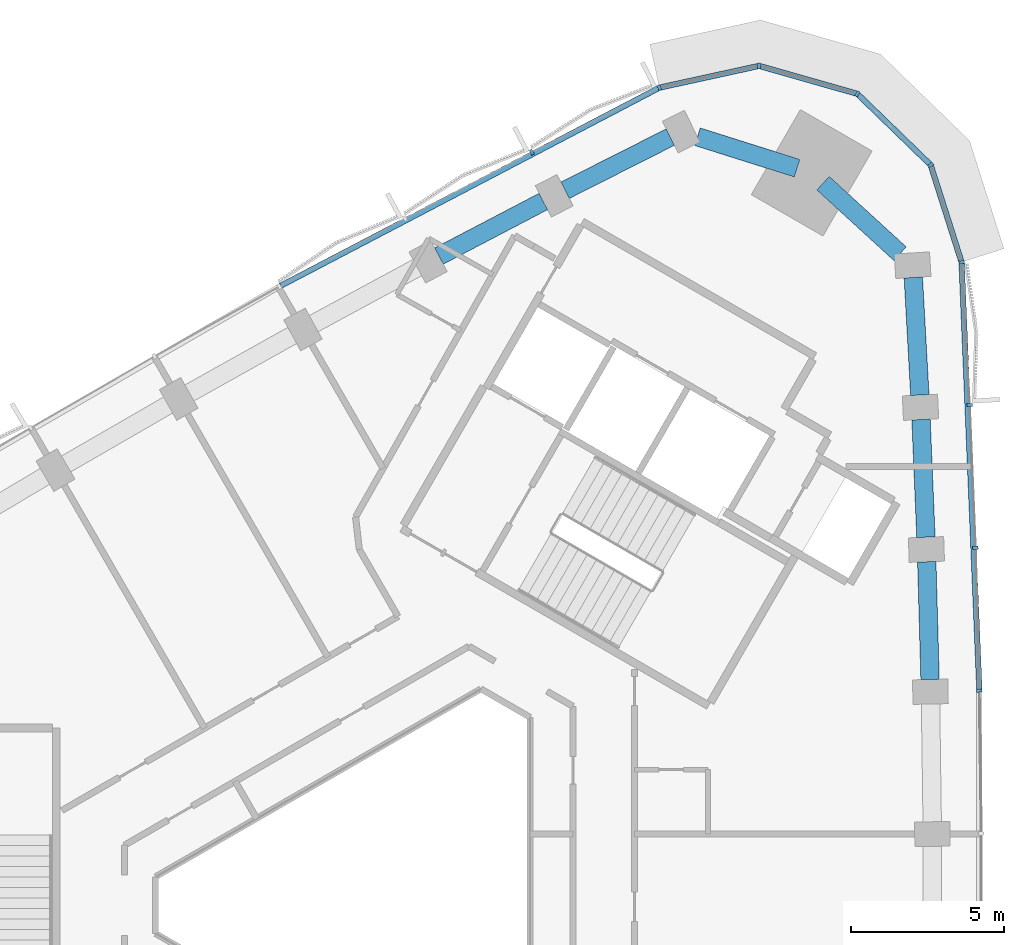
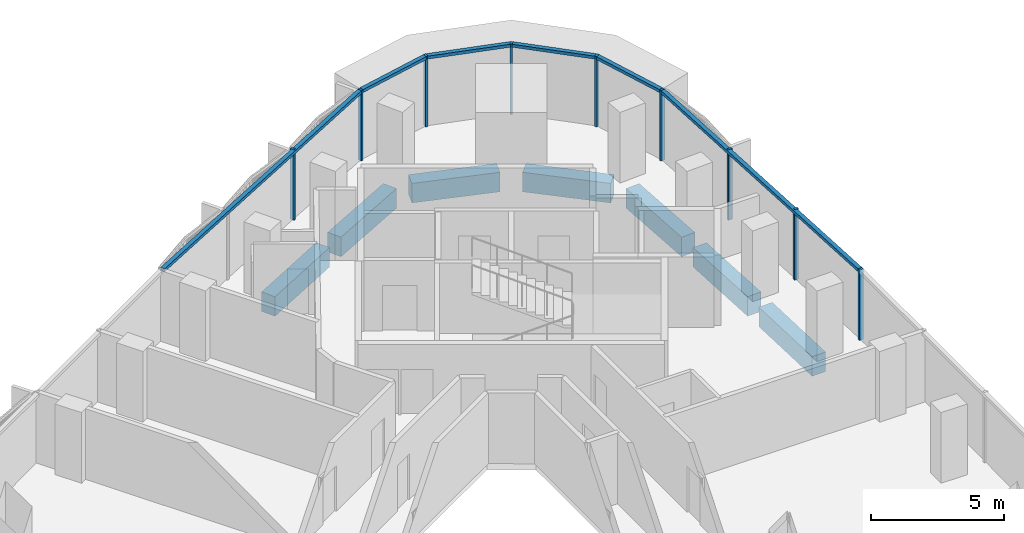
# One storey, part 5 of 13: 15 members, 7 beams, 2 elements without a shape of their own.
"""IFC4 building model written with IfcOpenShell, lengths in metres."""

from ifc_helpers import new_model, si_unit, direction, frame, origin, origin_2d, place, context, subcontext, project, spatial, rectangle, extrude, material, material_profile, profile_set, type_object, element, aggregate, save


model = new_model("IFC4")

# Units and contexts
model_context = context("Model", 3, precision=1e-05, world=origin(), true_north=direction((0.0, 1.0)))
body_context = subcontext(model_context, "Body", "Model", "MODEL_VIEW")
ifc_project = project(units=[si_unit("LENGTHUNIT", "METRE"), si_unit("AREAUNIT", "SQUARE_METRE"), si_unit("VOLUMEUNIT", "CUBIC_METRE"), si_unit("PLANEANGLEUNIT", "RADIAN"), si_unit("MASSUNIT", "GRAM", prefix="KILO")], contexts=[model_context])

# Site, building, storey
site_placement = place(None, origin())
site = spatial("IfcSite", under=ifc_project, at=site_placement, CompositionType="ELEMENT")
building_placement = place(site_placement, origin())
building = spatial("IfcBuilding", under=site, at=building_placement, Name="Tamra Quay Hotel Tower", CompositionType="ELEMENT")
storey_placement = place(building_placement, frame((0.0, 0.0, 182.800048828125)))
storey = spatial("IfcBuildingStorey", under=building, at=storey_placement, Name="L45", CompositionType="ELEMENT", Elevation=182.800048828125)

# Curtain wall, members
ifc_material_1 = material(Name="Aluminium 6063 anodised dark grey", Category="aluminium")
curtain_wall_type_1 = type_object("IfcCurtainWallType", Name="CW1 CURTAIN WALL", PredefinedType="NOTDEFINED", material=ifc_material_1)
curtain_wall_1_placement = place(storey_placement, origin())
curtain_wall_1 = element("IfcCurtainWall", 1, at=curtain_wall_1_placement, inside=storey, type_object=curtain_wall_type_1, Name="CW1 east face L45", PredefinedType="NOTDEFINED")
ifc_material_profile_1 = material_profile(ifc_material_1, rectangle(XDim=0.179931640625, YDim=0.10009765625, at=origin_2d()), Name="MULLION 100X180")
ifc_profile_set_1 = profile_set([ifc_material_profile_1], Name="Aluminium 6063 anodised dark grey")
member_type_1 = type_object("IfcMemberType", Name="MULLION CW1 Z4", PredefinedType="MULLION", material=ifc_profile_set_1)
member_1_placement = place(storey_placement, frame((19.246826171875, 6.989501953125, 0.0), z_axis=(0.0, 0.0, 1.0), x_axis=(0.999783233149, 0.020820343761, 0.0)))
member_1 = element("IfcMember", 2, at=member_1_placement, type_object=member_type_1, Name="CW1 mullion L45.E.7", PredefinedType="MULLION", context=body_context, shape_type="SweptSolid", body=[
    extrude(rectangle(XDim=0.179931640625, YDim=0.10009765625, at=origin_2d()), origin(), (0.0, 0.0, 1.0), 3.25),
])
member_2_placement = place(storey_placement, frame((19.117431640625, 11.646728515625, 0.0), z_axis=(0.0, 0.0, 1.0), x_axis=(0.999398551389, 0.034677593353, 0.0)))
member_2 = element("IfcMember", 3, at=member_2_placement, type_object=member_type_1, Name="CW1 mullion L45.E.8", PredefinedType="MULLION", context=body_context, shape_type="SweptSolid", body=[
    extrude(rectangle(XDim=0.179931640625, YDim=0.10009765625, at=origin_2d()), origin(), (0.0, 0.0, 1.0), 3.25),
])
member_3_placement = place(storey_placement, frame((18.923583984375, 16.302734375, 0.0), z_axis=(0.0, 0.0, 1.0), x_axis=(0.998822718062, 0.048509564873, 0.0)))
member_3 = element("IfcMember", 4, at=member_3_placement, type_object=member_type_1, Name="CW1 mullion L45.E.9", PredefinedType="MULLION", context=body_context, shape_type="SweptSolid", body=[
    extrude(rectangle(XDim=0.179931640625, YDim=0.10009765625, at=origin_2d()), origin(), (0.0, 0.0, 1.0), 3.25),
])
member_4_placement = place(storey_placement, frame((18.665283203125, 20.955078125, 0.0), z_axis=(0.0, 0.0, 1.0), x_axis=(0.983509429279, 0.180856856435, 0.0)))
member_4 = element("IfcMember", 5, at=member_4_placement, type_object=member_type_1, Name="CW1 mullion L45.E.10", PredefinedType="MULLION", context=body_context, shape_type="SweptSolid", body=[
    extrude(rectangle(XDim=0.179931640625, YDim=0.10009765625, at=origin_2d()), origin(), (0.0, 0.0, 1.0), 3.25),
])
member_5_placement = place(storey_placement, frame((17.65576171875, 24.1259765625, 0.0), z_axis=(0.0, 0.0, 1.0), x_axis=(0.85012217174, 0.526585504089, 0.0)))
member_5 = element("IfcMember", 6, at=member_5_placement, type_object=member_type_1, Name="CW1 mullion L45.E.11", PredefinedType="MULLION", context=body_context, shape_type="SweptSolid", body=[
    extrude(rectangle(XDim=0.179931640625, YDim=0.10009765625, at=origin_2d()), origin(), (0.0, 0.0, 1.0), 3.25),
])
member_6_placement = place(storey_placement, frame((15.2666015625, 26.4423828125, 0.0), z_axis=(0.0, 0.0, 1.0), x_axis=(0.5, 0.866025403784, 0.0)))
member_6 = element("IfcMember", 7, at=member_6_placement, type_object=member_type_1, Name="CW1 mullion L45.E.12", PredefinedType="MULLION", context=body_context, shape_type="SweptSolid", body=[
    extrude(rectangle(XDim=0.179931640625, YDim=0.10009765625, at=origin_2d()), origin(), (0.0, 0.0, 1.0), 3.25),
])
member_7_placement = place(storey_placement, frame((12.06591796875, 27.353271484375, 0.0), z_axis=(0.0, 0.0, 1.0), x_axis=(0.030975337936, 0.999520149091, 0.0)))
member_7 = element("IfcMember", 8, at=member_7_placement, type_object=member_type_1, Name="CW1 mullion L45.E.13", PredefinedType="MULLION", context=body_context, shape_type="SweptSolid", body=[
    extrude(rectangle(XDim=0.179931640625, YDim=0.10009765625, at=origin_2d()), origin(), (0.0, 0.0, 1.0), 3.25),
])

curtain_wall_type_2 = type_object("IfcCurtainWallType", Name="CW2 CURTAIN WALL", PredefinedType="NOTDEFINED", material=ifc_material_1)
curtain_wall_2_placement = place(storey_placement, origin())
curtain_wall_2 = element("IfcCurtainWall", 9, at=curtain_wall_2_placement, inside=storey, type_object=curtain_wall_type_2, Name="CW2 north-west face L45", PredefinedType="NOTDEFINED")
ifc_material_profile_2 = material_profile(ifc_material_1, rectangle(XDim=0.179931640625, YDim=0.10009765625, at=origin_2d()), Name="MULLION 100X180")
ifc_profile_set_2 = profile_set([ifc_material_profile_2], Name="Aluminium 6063 anodised dark grey")
member_type_2 = type_object("IfcMemberType", Name="MULLION CW2 Z4", PredefinedType="MULLION", material=ifc_profile_set_2)
member_8_placement = place(storey_placement, frame((8.81494140625, 26.642333984375, 0.0), z_axis=(0.0, 0.0, 1.0), x_axis=(-0.335128082518, 0.942172578834, 0.0)))
member_8 = element("IfcMember", 10, at=member_8_placement, type_object=member_type_2, Name="CW2 mullion L45.NW.1", PredefinedType="MULLION", context=body_context, shape_type="SweptSolid", body=[
    extrude(rectangle(XDim=0.179931640625, YDim=0.10009765625, at=origin_2d()), origin(), (0.0, 0.0, 1.0), 3.25),
])
member_9_placement = place(storey_placement, frame((4.65673828125, 24.539794921875, 0.0), z_axis=(0.0, 0.0, 1.0), x_axis=(-0.457400843524, 0.889260630155, 0.0)))
member_9 = element("IfcMember", 11, at=member_9_placement, type_object=member_type_2, Name="CW2 mullion L45.NW.2", PredefinedType="MULLION", context=body_context, shape_type="SweptSolid", body=[
    extrude(rectangle(XDim=0.179931640625, YDim=0.10009765625, at=origin_2d()), origin(), (0.0, 0.0, 1.0), 3.25),
])

# Beams
ifc_material_2 = material(Name="Concrete M60", Category="concrete")
ifc_material_profile_3 = material_profile(ifc_material_2, rectangle(XDim=0.60009765625, YDim=0.89990234375, at=origin_2d()), Name="SPANDREL BEAM RC 600x900")
ifc_profile_set_3 = profile_set([ifc_material_profile_3], Name="Concrete M60")
beam_type = type_object("IfcBeamType", Name="SPANDREL BEAM RC 600x900", PredefinedType="SPANDREL", material=ifc_profile_set_3)
beam_1_placement = place(storey_placement, frame((17.636962890625, 7.355712890625, -0.800048828125), z_axis=(-0.02773528523, 0.999615302981, 0.0), x_axis=(-0.999615302981, -0.02773528523, 0.0)))
element("IfcBeam", 12, at=beam_1_placement, inside=storey, type_object=beam_type, Name="BM-SP4-006-L45", PredefinedType="SPANDREL", context=body_context, shape_type="SweptSolid", body=[
    extrude(rectangle(XDim=0.60009765625, YDim=0.89990234375, at=origin_2d()), origin(), (0.0, 0.0, 1.0), 3.837890625),
])
beam_2_placement = place(storey_placement, frame((17.502685546875, 11.99169921875, -0.800048828125), z_axis=(-0.041609373826, 0.999133954988, 0.0), x_axis=(-0.999133954988, -0.041609373826, 0.0)))
element("IfcBeam", 13, at=beam_2_placement, inside=storey, type_object=beam_type, Name="BM-SP4-007-L45", PredefinedType="SPANDREL", context=body_context, shape_type="SweptSolid", body=[
    extrude(rectangle(XDim=0.60009765625, YDim=0.89990234375, at=origin_2d()), origin(), (0.0, 0.0, 1.0), 3.83740234375),
])
beam_3_placement = place(storey_placement, frame((17.30419921875, 16.625, -0.800048828125), z_axis=(-0.055346700292, 0.99846719664, 0.0), x_axis=(-0.99846719664, -0.055346700292, 0.0)))
element("IfcBeam", 14, at=beam_3_placement, inside=storey, type_object=beam_type, Name="BM-SP4-008-L45", PredefinedType="SPANDREL", context=body_context, shape_type="SweptSolid", body=[
    extrude(rectangle(XDim=0.60009765625, YDim=0.89990234375, at=origin_2d()), origin(), (0.0, 0.0, 1.0), 3.837646484375),
])
beam_4_placement = place(storey_placement, frame((16.659423828125, 21.2314453125, -0.800048828125), z_axis=(-0.737716497183, 0.675110635218, 0.0), x_axis=(-0.675110635218, -0.737716497183, 0.0)))
element("IfcBeam", 15, at=beam_4_placement, inside=storey, type_object=beam_type, Name="BM-SP4-009-L45", PredefinedType="SPANDREL", context=body_context, shape_type="SweptSolid", body=[
    extrude(rectangle(XDim=0.60009765625, YDim=0.89990234375, at=origin_2d()), origin(), (0.0, 0.0, 1.0), 3.404296875),
])
beam_5_placement = place(storey_placement, frame((13.302978515625, 24.017333984375, -0.800048828125), z_axis=(-0.953502415748, 0.301385373174, 0.0), x_axis=(-0.301385373174, -0.953502415748, 0.0)))
element("IfcBeam", 16, at=beam_5_placement, inside=storey, type_object=beam_type, Name="BM-SP4-010-L45", PredefinedType="SPANDREL", context=body_context, shape_type="SweptSolid", body=[
    extrude(rectangle(XDim=0.60009765625, YDim=0.89990234375, at=origin_2d()), origin(), (0.0, 0.0, 1.0), 3.40380859375),
])
beam_6_placement = place(storey_placement, frame((9.170166015625, 25.030029296875, -0.800048828125), z_axis=(-0.892407883039, -0.451229620359, 0.0), x_axis=(0.451229620359, -0.892407883039, 0.0)))
element("IfcBeam", 17, at=beam_6_placement, inside=storey, type_object=beam_type, Name="BM-SP4-011-L45", PredefinedType="SPANDREL", context=body_context, shape_type="SweptSolid", body=[
    extrude(rectangle(XDim=0.60009765625, YDim=0.89990234375, at=origin_2d()), origin(), (0.0, 0.0, 1.0), 3.837646484375),
])
beam_7_placement = place(storey_placement, frame((5.033935546875, 22.9326171875, -0.800048828125), z_axis=(-0.886043134182, -0.463602808845, 0.0), x_axis=(0.463602808845, -0.886043134182, 0.0)))
element("IfcBeam", 18, at=beam_7_placement, inside=storey, type_object=beam_type, Name="BM-SP4-012-L45", PredefinedType="SPANDREL", context=body_context, shape_type="SweptSolid", body=[
    extrude(rectangle(XDim=0.60009765625, YDim=0.89990234375, at=origin_2d()), origin(), (0.0, 0.0, 1.0), 3.83740234375),
])

# Member
ifc_material_profile_4 = material_profile(ifc_material_1, rectangle(XDim=0.179931640625, YDim=0.139892578125, at=origin_2d()), Name="TRANSOM 180X140")
ifc_profile_set_4 = profile_set([ifc_material_profile_4], Name="Aluminium 6063 anodised dark grey")
member_type_3 = type_object("IfcMemberType", Name="TRANSOM CW1 Z4", PredefinedType="USERDEFINED", material=ifc_profile_set_4)
member_10_placement = place(storey_placement, frame((19.245361328125, 7.03955078125, 3.179931640625), z_axis=(-0.041588103727, 0.999134840564, 0.0), x_axis=(-0.999134840564, -0.041588103727, 0.0)))
member_10 = element("IfcMember", 19, at=member_10_placement, type_object=member_type_3, Name="CW1 transom L45.E.7", ObjectType="TRANSOM", PredefinedType="USERDEFINED", context=body_context, shape_type="SweptSolid", body=[
    extrude(rectangle(XDim=0.179931640625, YDim=0.139892578125, at=origin_2d()), origin(), (0.0, 0.0, 1.0), 13.877685546875),
])

member_11_placement = place(storey_placement, frame((18.650146484375, 21.002685546875, 3.179931640625), z_axis=(-0.303378482034, 0.952870136293, 0.0), x_axis=(-0.952870136293, -0.303378482034, 0.0)))
member_11 = element("IfcMember", 20, at=member_11_placement, type_object=member_type_3, Name="CW1 transom L45.E.10", ObjectType="TRANSOM", PredefinedType="USERDEFINED", context=body_context, shape_type="SweptSolid", body=[
    extrude(rectangle(XDim=0.179931640625, YDim=0.139892578125, at=origin_2d()), origin(), (0.0, 0.0, 1.0), 3.227783203125),
])

member_12_placement = place(storey_placement, frame((17.619873046875, 24.160888671875, 3.179931640625), z_axis=(-0.717989739808, 0.696053685811, 0.0), x_axis=(-0.696053685811, -0.717989739808, 0.0)))
member_12 = element("IfcMember", 21, at=member_12_placement, type_object=member_type_3, Name="CW1 transom L45.E.11", ObjectType="TRANSOM", PredefinedType="USERDEFINED", context=body_context, shape_type="SweptSolid", body=[
    extrude(rectangle(XDim=0.179931640625, YDim=0.139892578125, at=origin_2d()), origin(), (0.0, 0.0, 1.0), 3.2275390625),
])

member_13_placement = place(storey_placement, frame((15.218505859375, 26.4560546875, 3.179931640625), z_axis=(-0.961806009168, 0.273731987038, 0.0), x_axis=(-0.273731987038, -0.961806009168, 0.0)))
member_13 = element("IfcMember", 22, at=member_13_placement, type_object=member_type_3, Name="CW1 transom L45.E.12", ObjectType="TRANSOM", PredefinedType="USERDEFINED", context=body_context, shape_type="SweptSolid", body=[
    extrude(rectangle(XDim=0.179931640625, YDim=0.139892578125, at=origin_2d()), origin(), (0.0, 0.0, 1.0), 3.227783203125),
])

member_14_placement = place(storey_placement, frame((12.01708984375, 27.342529296875, 3.179931640625), z_axis=(-0.976905938147, -0.21366981072, 0.0), x_axis=(0.21366981072, -0.976905938147, 0.0)))
member_14 = element("IfcMember", 23, at=member_14_placement, type_object=member_type_3, Name="CW1 transom L45.E.13", ObjectType="TRANSOM", PredefinedType="USERDEFINED", context=body_context, shape_type="SweptSolid", body=[
    extrude(rectangle(XDim=0.179931640625, YDim=0.139892578125, at=origin_2d()), origin(), (0.0, 0.0, 1.0), 3.227783203125),
])

aggregate(curtain_wall_1, [member_1, member_10, member_2, member_3, member_4, member_11, member_5, member_12, member_6, member_13, member_7, member_14])

ifc_material_profile_5 = material_profile(ifc_material_1, rectangle(XDim=0.179931640625, YDim=0.139892578125, at=origin_2d()), Name="TRANSOM 180X140")
ifc_profile_set_5 = profile_set([ifc_material_profile_5], Name="Aluminium 6063 anodised dark grey")
member_type_4 = type_object("IfcMemberType", Name="TRANSOM CW2 Z4", PredefinedType="USERDEFINED", material=ifc_profile_set_5)
member_15_placement = place(storey_placement, frame((8.770263671875, 26.61962890625, 3.179931640625), z_axis=(-0.886075202027, -0.463541515242, 0.0), x_axis=(0.463541515242, -0.886075202027, 0.0)))
member_15 = element("IfcMember", 24, at=member_15_placement, type_object=member_type_4, Name="CW2 transom L45.NW.1", ObjectType="TRANSOM", PredefinedType="USERDEFINED", context=body_context, shape_type="SweptSolid", body=[
    extrude(rectangle(XDim=0.179931640625, YDim=0.139892578125, at=origin_2d()), origin(), (0.0, 0.0, 1.0), 13.877685546875),
])

aggregate(curtain_wall_2, [member_8, member_15, member_9])

save(model, "model.ifc")
